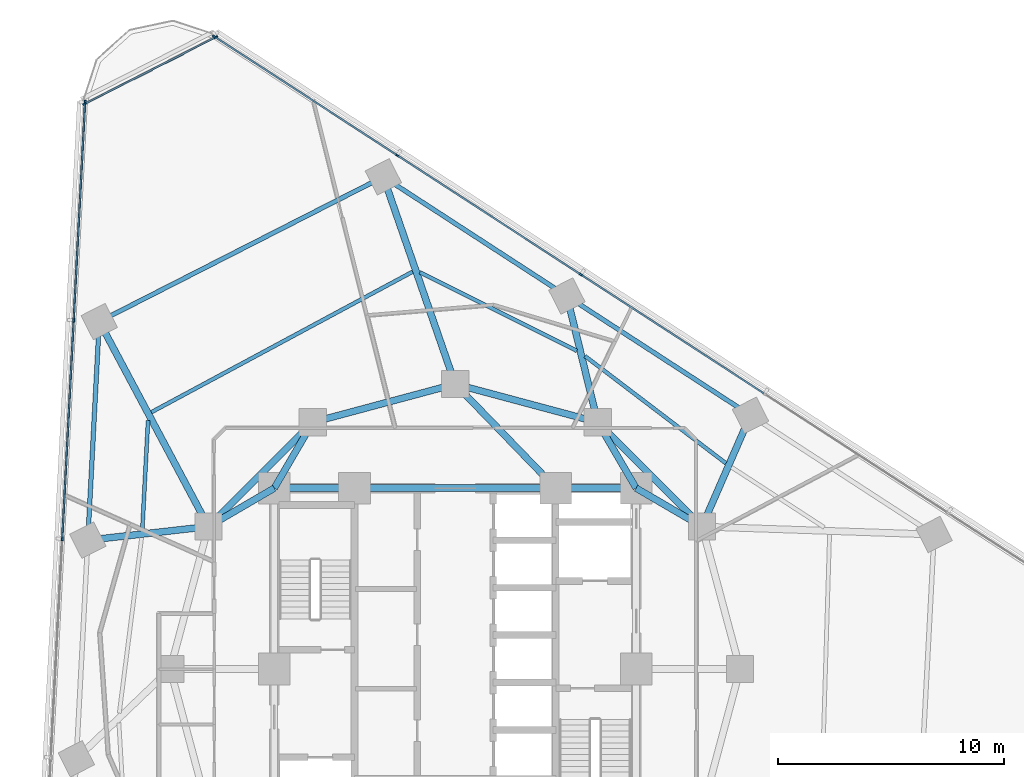
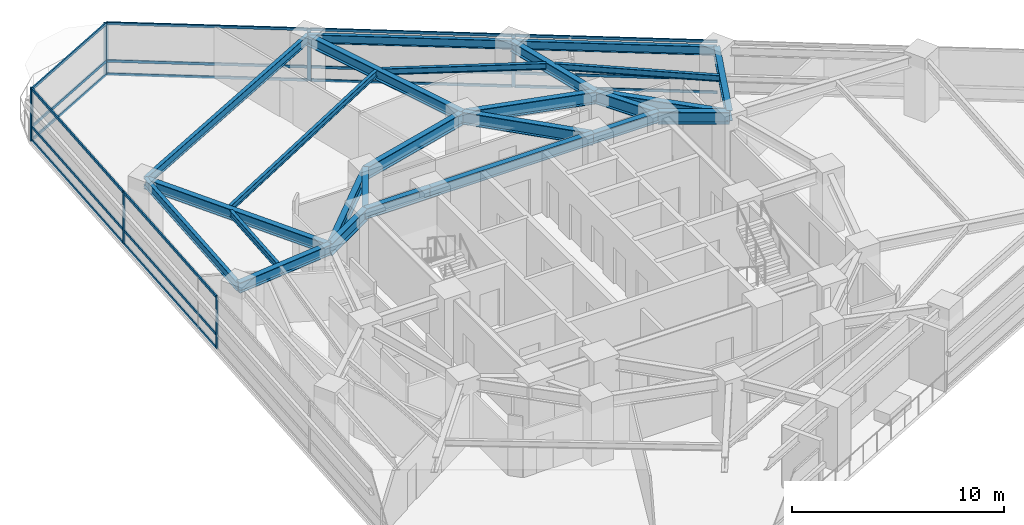
# One storey, part 5 of 14: 26 members, 25 beams, 3 elements without a shape of their own.
"""IFC4 building model written with IfcOpenShell, lengths in metres."""

from ifc_helpers import new_model, si_unit, direction, frame, origin, origin_2d, place, context, subcontext, project, spatial, rectangle, i_section, extrude, material, layer, layer_set, material_profile, profile_set, type_object, element, aggregate, save


model = new_model("IFC4")

# Units and contexts
model_context = context("Model", 3, precision=1e-05, world=origin(), true_north=direction((0.0, 1.0)))
body_context = subcontext(model_context, "Body", "Model", "MODEL_VIEW")
ifc_project = project(units=[si_unit("LENGTHUNIT", "METRE"), si_unit("AREAUNIT", "SQUARE_METRE"), si_unit("VOLUMEUNIT", "CUBIC_METRE"), si_unit("PLANEANGLEUNIT", "RADIAN"), si_unit("MASSUNIT", "GRAM", prefix="KILO")], contexts=[model_context])

# Site, building, storey
site_placement = place(None, origin())
site = spatial("IfcSite", under=ifc_project, at=site_placement, CompositionType="ELEMENT")
building_placement = place(site_placement, origin())
building = spatial("IfcBuilding", under=site, at=building_placement, Name="Terralouvre Media Tower", CompositionType="ELEMENT")
storey_placement = place(building_placement, frame((0.0, 0.0, 131.0)))
storey = spatial("IfcBuildingStorey", under=building, at=storey_placement, Name="L33", CompositionType="ELEMENT", Elevation=131.0)

# Beams
ifc_material_1 = material(Name="Structural steel S355J2", Category="steel")
ifc_material_profile_1 = material_profile(ifc_material_1, i_section(OverallWidth=0.169921875, OverallDepth=0.360107421875, WebThickness=0.008056640625, FlangeThickness=0.0126953125, at=origin_2d()), Name="IPE 360")
ifc_profile_set_1 = profile_set([ifc_material_profile_1], Name="Structural steel S355J2")
beam_type_1 = type_object("IfcBeamType", Name="Composite Floor Joist J-IPE360 (IPE 360)", PredefinedType="JOIST", material=ifc_profile_set_1)
beam_1_placement = place(storey_placement, frame((11.970703125, 9.098388671875, 3.320068359375), z_axis=(-0.795913950382, 0.605409765024, 0.0), x_axis=(-0.605409765024, -0.795913950382, 0.0)))
element("IfcBeam", 1, at=beam_1_placement, inside=storey, type_object=beam_type_1, Name="L33 Framing Beam JT-L33-08", PredefinedType="JOIST", context=body_context, shape_type="SweptSolid", body=[
    extrude(i_section(OverallWidth=0.169921875, OverallDepth=0.360107421875, WebThickness=0.008056640625, FlangeThickness=0.0126953125, at=origin_2d()), origin(), (0.0, 0.0, 1.0), 7.8291015625),
])
beam_2_placement = place(storey_placement, frame((5.37744140625, 14.068603515625, 3.320068359375), z_axis=(-0.893973577097, 0.448119675368, 0.0), x_axis=(-0.448119675368, -0.893973577097, 0.0)))
element("IfcBeam", 2, at=beam_2_placement, inside=storey, type_object=beam_type_1, Name="L33 Framing Beam JT-L33-09", PredefinedType="JOIST", context=body_context, shape_type="SweptSolid", body=[
    extrude(i_section(OverallWidth=0.169921875, OverallDepth=0.360107421875, WebThickness=0.008056640625, FlangeThickness=0.0126953125, at=origin_2d()), origin(), (0.0, 0.0, 1.0), 7.758056640625),
])
beam_3_placement = place(storey_placement, frame((-1.880615234375, 17.569580078125, 3.320068359375), z_axis=(-0.880744642144, -0.473591464592, 0.0), x_axis=(0.473591464592, -0.880744642144, 0.0)))
element("IfcBeam", 3, at=beam_3_placement, inside=storey, type_object=beam_type_1, Name="L33 Framing Beam JT-L33-10", PredefinedType="JOIST", context=body_context, shape_type="SweptSolid", body=[
    extrude(i_section(OverallWidth=0.169921875, OverallDepth=0.360107421875, WebThickness=0.008056640625, FlangeThickness=0.0126953125, at=origin_2d()), origin(), (0.0, 0.0, 1.0), 13.11865234375),
])
beam_4_placement = place(storey_placement, frame((-13.58203125, 10.9970703125, 3.320068359375), z_axis=(-0.052377831518, -0.998627339284, 0.0), x_axis=(0.998627339284, -0.052377831518, 0.0)))
element("IfcBeam", 4, at=beam_4_placement, inside=storey, type_object=beam_type_1, Name="L33 Framing Beam JT-L33-11", PredefinedType="JOIST", context=body_context, shape_type="SweptSolid", body=[
    extrude(i_section(OverallWidth=0.169921875, OverallDepth=0.360107421875, WebThickness=0.008056640625, FlangeThickness=0.0126953125, at=origin_2d()), origin(), (0.0, 0.0, 1.0), 4.884765625),
])

# Curtain wall, members
ifc_material_2 = material(Name="Low-iron laminated double glazing with solar-control coating", Category="glass")
ifc_layer_1 = layer(ifc_material_2, 0.1650390625, Name="Production Studio Tower Curtain Wall CW-03")
ifc_layer_set_1 = layer_set([ifc_layer_1], Name="Low-iron laminated double glazing with solar-control coating")
curtain_wall_type_1 = type_object("IfcCurtainWallType", Name="Production Studio Tower Curtain Wall CW-03", PredefinedType="NOTDEFINED", material=ifc_layer_set_1)
curtain_wall_1_placement = place(storey_placement, origin())
curtain_wall_1 = element("IfcCurtainWall", 5, at=curtain_wall_1_placement, inside=storey, type_object=curtain_wall_type_1, Name="L33 Facade Curtain Wall F1", PredefinedType="NOTDEFINED")
ifc_material_3 = material(Name="Anodised extruded aluminium 6063-T6", Category="aluminium")
ifc_material_profile_2 = material_profile(ifc_material_3, rectangle(XDim=0.074951171875, YDim=0.14990234375, at=origin_2d()), Name="ALU 75x150")
ifc_profile_set_2 = profile_set([ifc_material_profile_2], Name="Anodised extruded aluminium 6063-T6")
member_type_1 = type_object("IfcMemberType", Name="Curtain-Wall Horizontal Transom TR-150", PredefinedType="USERDEFINED", material=ifc_profile_set_2)
member_1_placement = place(storey_placement, frame((13.6416015625, 12.1884765625, 0.03759765625), z_axis=(-0.838672931076, 0.544635396095, 0.0), x_axis=(-0.544635396095, -0.838672931076, 0.0)))
member_1 = element("IfcMember", 6, at=member_1_placement, type_object=member_type_1, Name="CW-03 transom 3.1", ObjectType="TRANSOM", PredefinedType="USERDEFINED", context=body_context, shape_type="SweptSolid", body=[
    extrude(rectangle(XDim=0.074951171875, YDim=0.14990234375, at=origin_2d()), origin(), (0.0, 0.0, 1.0), 9.60498046875),
])
member_2_placement = place(storey_placement, frame((13.6416015625, 12.1884765625, 0.800048828125), z_axis=(-0.838672931076, 0.544635396095, 0.0), x_axis=(-0.544635396095, -0.838672931076, 0.0)))
member_2 = element("IfcMember", 7, at=member_2_placement, type_object=member_type_1, Name="CW-03 transom 3.2", ObjectType="TRANSOM", PredefinedType="USERDEFINED", context=body_context, shape_type="SweptSolid", body=[
    extrude(rectangle(XDim=0.074951171875, YDim=0.14990234375, at=origin_2d()), origin(), (0.0, 0.0, 1.0), 9.60498046875),
])
member_3_placement = place(storey_placement, frame((13.6416015625, 12.1884765625, 2.96240234375), z_axis=(-0.838672931076, 0.544635396095, 0.0), x_axis=(-0.544635396095, -0.838672931076, 0.0)))
member_3 = element("IfcMember", 8, at=member_3_placement, type_object=member_type_1, Name="CW-03 transom 3.3", ObjectType="TRANSOM", PredefinedType="USERDEFINED", context=body_context, shape_type="SweptSolid", body=[
    extrude(rectangle(XDim=0.074951171875, YDim=0.14990234375, at=origin_2d()), origin(), (0.0, 0.0, 1.0), 9.60498046875),
])
member_4_placement = place(storey_placement, frame((5.523193359375, 17.460693359375, 0.03759765625), z_axis=(-0.838672931076, 0.544635396095, 0.0), x_axis=(-0.544635396095, -0.838672931076, 0.0)))
member_4 = element("IfcMember", 9, at=member_4_placement, type_object=member_type_1, Name="CW-03 transom 4.1", ObjectType="TRANSOM", PredefinedType="USERDEFINED", context=body_context, shape_type="SweptSolid", body=[
    extrude(rectangle(XDim=0.074951171875, YDim=0.14990234375, at=origin_2d()), origin(), (0.0, 0.0, 1.0), 9.60498046875),
])
member_5_placement = place(storey_placement, frame((5.523193359375, 17.460693359375, 0.800048828125), z_axis=(-0.838672931076, 0.544635396095, 0.0), x_axis=(-0.544635396095, -0.838672931076, 0.0)))
member_5 = element("IfcMember", 10, at=member_5_placement, type_object=member_type_1, Name="CW-03 transom 4.2", ObjectType="TRANSOM", PredefinedType="USERDEFINED", context=body_context, shape_type="SweptSolid", body=[
    extrude(rectangle(XDim=0.074951171875, YDim=0.14990234375, at=origin_2d()), origin(), (0.0, 0.0, 1.0), 9.60498046875),
])
member_6_placement = place(storey_placement, frame((5.523193359375, 17.460693359375, 2.96240234375), z_axis=(-0.838672931076, 0.544635396095, 0.0), x_axis=(-0.544635396095, -0.838672931076, 0.0)))
member_6 = element("IfcMember", 11, at=member_6_placement, type_object=member_type_1, Name="CW-03 transom 4.3", ObjectType="TRANSOM", PredefinedType="USERDEFINED", context=body_context, shape_type="SweptSolid", body=[
    extrude(rectangle(XDim=0.074951171875, YDim=0.14990234375, at=origin_2d()), origin(), (0.0, 0.0, 1.0), 9.60498046875),
])
member_7_placement = place(storey_placement, frame((-2.594970703125, 22.732666015625, 0.03759765625), z_axis=(-0.838671492993, 0.544637610565, 0.0), x_axis=(-0.544637610565, -0.838671492993, 0.0)))
member_7 = element("IfcMember", 12, at=member_7_placement, type_object=member_type_1, Name="CW-03 transom 5.1", ObjectType="TRANSOM", PredefinedType="USERDEFINED", context=body_context, shape_type="SweptSolid", body=[
    extrude(rectangle(XDim=0.074951171875, YDim=0.14990234375, at=origin_2d()), origin(), (0.0, 0.0, 1.0), 9.567626953125),
])
member_8_placement = place(storey_placement, frame((-2.594970703125, 22.732666015625, 0.800048828125), z_axis=(-0.838671492993, 0.544637610565, 0.0), x_axis=(-0.544637610565, -0.838671492993, 0.0)))
member_8 = element("IfcMember", 13, at=member_8_placement, type_object=member_type_1, Name="CW-03 transom 5.2", ObjectType="TRANSOM", PredefinedType="USERDEFINED", context=body_context, shape_type="SweptSolid", body=[
    extrude(rectangle(XDim=0.074951171875, YDim=0.14990234375, at=origin_2d()), origin(), (0.0, 0.0, 1.0), 9.567626953125),
])
member_9_placement = place(storey_placement, frame((-2.594970703125, 22.732666015625, 2.96240234375), z_axis=(-0.838671492993, 0.544637610565, 0.0), x_axis=(-0.544637610565, -0.838671492993, 0.0)))
member_9 = element("IfcMember", 14, at=member_9_placement, type_object=member_type_1, Name="CW-03 transom 5.3", ObjectType="TRANSOM", PredefinedType="USERDEFINED", context=body_context, shape_type="SweptSolid", body=[
    extrude(rectangle(XDim=0.074951171875, YDim=0.14990234375, at=origin_2d()), origin(), (0.0, 0.0, 1.0), 9.567626953125),
])

curtain_wall_2_placement = place(storey_placement, origin())
curtain_wall_2 = element("IfcCurtainWall", 15, at=curtain_wall_2_placement, inside=storey, type_object=curtain_wall_type_1, Name="L33 Facade Curtain Wall F2", PredefinedType="NOTDEFINED")
member_10_placement = place(storey_placement, frame((-16.364990234375, 25.015869140625, 0.03759765625), z_axis=(-0.052336504837, -0.998629506004, 0.0), x_axis=(0.998629506004, -0.052336504837, 0.0)))
member_10 = element("IfcMember", 16, at=member_10_placement, type_object=member_type_1, Name="CW-03 transom 1.1", ObjectType="TRANSOM", PredefinedType="USERDEFINED", context=body_context, shape_type="SweptSolid", body=[
    extrude(rectangle(XDim=0.074951171875, YDim=0.14990234375, at=origin_2d()), origin(), (0.0, 0.0, 1.0), 9.567626953125),
])
member_11_placement = place(storey_placement, frame((-16.364990234375, 25.015869140625, 0.800048828125), z_axis=(-0.052336504837, -0.998629506004, 0.0), x_axis=(0.998629506004, -0.052336504837, 0.0)))
member_11 = element("IfcMember", 17, at=member_11_placement, type_object=member_type_1, Name="CW-03 transom 1.2", ObjectType="TRANSOM", PredefinedType="USERDEFINED", context=body_context, shape_type="SweptSolid", body=[
    extrude(rectangle(XDim=0.074951171875, YDim=0.14990234375, at=origin_2d()), origin(), (0.0, 0.0, 1.0), 9.567626953125),
])
member_12_placement = place(storey_placement, frame((-16.364990234375, 25.015869140625, 2.96240234375), z_axis=(-0.052336504837, -0.998629506004, 0.0), x_axis=(0.998629506004, -0.052336504837, 0.0)))
member_12 = element("IfcMember", 18, at=member_12_placement, type_object=member_type_1, Name="CW-03 transom 1.3", ObjectType="TRANSOM", PredefinedType="USERDEFINED", context=body_context, shape_type="SweptSolid", body=[
    extrude(rectangle(XDim=0.074951171875, YDim=0.14990234375, at=origin_2d()), origin(), (0.0, 0.0, 1.0), 9.567626953125),
])
member_13_placement = place(storey_placement, frame((-16.86962890625, 15.386474609375, 0.03759765625), z_axis=(-0.052336036535, -0.998629530547, 0.0), x_axis=(0.998629530547, -0.052336036535, 0.0)))
member_13 = element("IfcMember", 19, at=member_13_placement, type_object=member_type_1, Name="CW-03 transom 2.1", ObjectType="TRANSOM", PredefinedType="USERDEFINED", context=body_context, shape_type="SweptSolid", body=[
    extrude(rectangle(XDim=0.074951171875, YDim=0.14990234375, at=origin_2d()), origin(), (0.0, 0.0, 1.0), 9.60498046875),
])
member_14_placement = place(storey_placement, frame((-16.86962890625, 15.386474609375, 0.800048828125), z_axis=(-0.052336036535, -0.998629530547, 0.0), x_axis=(0.998629530547, -0.052336036535, 0.0)))
member_14 = element("IfcMember", 20, at=member_14_placement, type_object=member_type_1, Name="CW-03 transom 2.2", ObjectType="TRANSOM", PredefinedType="USERDEFINED", context=body_context, shape_type="SweptSolid", body=[
    extrude(rectangle(XDim=0.074951171875, YDim=0.14990234375, at=origin_2d()), origin(), (0.0, 0.0, 1.0), 9.60498046875),
])
member_15_placement = place(storey_placement, frame((-16.86962890625, 15.386474609375, 2.96240234375), z_axis=(-0.052336036535, -0.998629530547, 0.0), x_axis=(0.998629530547, -0.052336036535, 0.0)))
member_15 = element("IfcMember", 21, at=member_15_placement, type_object=member_type_1, Name="CW-03 transom 2.3", ObjectType="TRANSOM", PredefinedType="USERDEFINED", context=body_context, shape_type="SweptSolid", body=[
    extrude(rectangle(XDim=0.074951171875, YDim=0.14990234375, at=origin_2d()), origin(), (0.0, 0.0, 1.0), 9.60498046875),
])

ifc_material_4 = material(Name="Low-iron laminated double glazing with solar-control coating", Category="glass")
ifc_layer_2 = layer(ifc_material_4, 0.1650390625, Name="Rounded Wind-Corner Curved Glazing CW-04")
ifc_layer_set_2 = layer_set([ifc_layer_2], Name="Low-iron laminated double glazing with solar-control coating")
curtain_wall_type_2 = type_object("IfcCurtainWallType", Name="Rounded Wind-Corner Curved Glazing CW-04", PredefinedType="NOTDEFINED", material=ifc_layer_set_2)
curtain_wall_3_placement = place(storey_placement, origin())
curtain_wall_3 = element("IfcCurtainWall", 22, at=curtain_wall_3_placement, inside=storey, type_object=curtain_wall_type_2, Name="L33 Rounded Wind-Corner Curtain Wall C2", PredefinedType="NOTDEFINED")
member_16_placement = place(storey_placement, frame((-10.619873046875, 27.92626953125, 0.03759765625), z_axis=(-0.891007919555, -0.453987761167, 0.0), x_axis=(0.453987761167, -0.891007919555, 0.0)))
member_16 = element("IfcMember", 23, at=member_16_placement, type_object=member_type_1, Name="CW-04 transom 1.1", ObjectType="TRANSOM", PredefinedType="USERDEFINED", context=body_context, shape_type="SweptSolid", body=[
    extrude(rectangle(XDim=0.074951171875, YDim=0.14990234375, at=origin_2d()), origin(), (0.0, 0.0, 1.0), 6.431640625),
])
member_17_placement = place(storey_placement, frame((-10.619873046875, 27.92626953125, 0.800048828125), z_axis=(-0.891007919555, -0.453987761167, 0.0), x_axis=(0.453987761167, -0.891007919555, 0.0)))
member_17 = element("IfcMember", 24, at=member_17_placement, type_object=member_type_1, Name="CW-04 transom 1.2", ObjectType="TRANSOM", PredefinedType="USERDEFINED", context=body_context, shape_type="SweptSolid", body=[
    extrude(rectangle(XDim=0.074951171875, YDim=0.14990234375, at=origin_2d()), origin(), (0.0, 0.0, 1.0), 6.431640625),
])
member_18_placement = place(storey_placement, frame((-10.619873046875, 27.92626953125, 2.96240234375), z_axis=(-0.891007919555, -0.453987761167, 0.0), x_axis=(0.453987761167, -0.891007919555, 0.0)))
member_18 = element("IfcMember", 25, at=member_18_placement, type_object=member_type_1, Name="CW-04 transom 1.3", ObjectType="TRANSOM", PredefinedType="USERDEFINED", context=body_context, shape_type="SweptSolid", body=[
    extrude(rectangle(XDim=0.074951171875, YDim=0.14990234375, at=origin_2d()), origin(), (0.0, 0.0, 1.0), 6.431640625),
])

# Member
ifc_material_5 = material(Name="Anodised extruded aluminium 6063-T6", Category="aluminium")
ifc_material_profile_3 = material_profile(ifc_material_5, rectangle(XDim=0.074951171875, YDim=0.179931640625, at=origin_2d()), Name="ALU 75x180")
ifc_profile_set_3 = profile_set([ifc_material_profile_3], Name="Anodised extruded aluminium 6063-T6")
member_type_2 = type_object("IfcMemberType", Name="Curtain-Wall Vertical Mullion ML-180", PredefinedType="MULLION", material=ifc_profile_set_3)
member_19_placement = place(storey_placement, frame((5.5546875, 17.440185546875, 0.0), z_axis=(0.0, 0.0, 1.0), x_axis=(-0.544639002681, -0.838670588944, 0.0)))
member_19 = element("IfcMember", 26, at=member_19_placement, type_object=member_type_2, Name="CW-03 mullion 4", PredefinedType="MULLION", context=body_context, shape_type="SweptSolid", body=[
    extrude(rectangle(XDim=0.074951171875, YDim=0.179931640625, at=origin_2d()), origin(), (0.0, 0.0, 1.0), 3.0),
])

member_20_placement = place(storey_placement, frame((-2.5634765625, 22.712158203125, 0.0), z_axis=(0.0, 0.0, 1.0), x_axis=(-0.544639002681, -0.838670588944, 0.0)))
member_20 = element("IfcMember", 27, at=member_20_placement, type_object=member_type_2, Name="CW-03 mullion 5", PredefinedType="MULLION", context=body_context, shape_type="SweptSolid", body=[
    extrude(rectangle(XDim=0.074951171875, YDim=0.179931640625, at=origin_2d()), origin(), (0.0, 0.0, 1.0), 3.0),
])

member_21_placement = place(storey_placement, frame((-10.650390625, 27.9638671875, 0.0), z_axis=(0.0, 0.0, 1.0), x_axis=(-0.544639002681, -0.838670588944, 0.0)))
member_21 = element("IfcMember", 28, at=member_21_placement, type_object=member_type_2, Name="CW-03 mullion 6", PredefinedType="MULLION", context=body_context, shape_type="SweptSolid", body=[
    extrude(rectangle(XDim=0.074951171875, YDim=0.179931640625, at=origin_2d()), origin(), (0.0, 0.0, 1.0), 3.0),
])

aggregate(curtain_wall_1, [member_19, member_20, member_21, member_1, member_2, member_3, member_4, member_5, member_6, member_7, member_8, member_9])

member_22_placement = place(storey_placement, frame((-16.363037109375, 25.05322265625, 0.0), z_axis=(0.0, 0.0, 1.0), x_axis=(0.998629535089, -0.052335949864, 0.0)))
member_22 = element("IfcMember", 29, at=member_22_placement, type_object=member_type_2, Name="CW-03 mullion 1", PredefinedType="MULLION", context=body_context, shape_type="SweptSolid", body=[
    extrude(rectangle(XDim=0.074951171875, YDim=0.179931640625, at=origin_2d()), origin(), (0.0, 0.0, 1.0), 3.0),
])

member_23_placement = place(storey_placement, frame((-16.86767578125, 15.423828125, 0.0), z_axis=(0.0, 0.0, 1.0), x_axis=(0.998629535089, -0.052335949864, 0.0)))
member_23 = element("IfcMember", 30, at=member_23_placement, type_object=member_type_2, Name="CW-03 mullion 2", PredefinedType="MULLION", context=body_context, shape_type="SweptSolid", body=[
    extrude(rectangle(XDim=0.074951171875, YDim=0.179931640625, at=origin_2d()), origin(), (0.0, 0.0, 1.0), 3.0),
])

member_24_placement = place(storey_placement, frame((-17.374267578125, 5.757080078125, 0.0), z_axis=(0.0, 0.0, 1.0), x_axis=(0.998629535089, -0.052335949864, 0.0)))
member_24 = element("IfcMember", 31, at=member_24_placement, type_object=member_type_2, Name="CW-03 mullion 3", PredefinedType="MULLION", context=body_context, shape_type="SweptSolid", body=[
    extrude(rectangle(XDim=0.074951171875, YDim=0.179931640625, at=origin_2d()), origin(), (0.0, 0.0, 1.0), 3.0),
])

aggregate(curtain_wall_2, [member_22, member_23, member_24, member_10, member_11, member_12, member_13, member_14, member_15])

member_25_placement = place(storey_placement, frame((-10.58642578125, 27.943359375, 0.0), z_axis=(0.0, 0.0, 1.0), x_axis=(0.45399035059, -0.891006600184, 0.0)))
member_25 = element("IfcMember", 32, at=member_25_placement, type_object=member_type_2, Name="CW-04 mullion 1", PredefinedType="MULLION", context=body_context, shape_type="SweptSolid", body=[
    extrude(rectangle(XDim=0.074951171875, YDim=0.179931640625, at=origin_2d()), origin(), (0.0, 0.0, 1.0), 3.0),
])

member_26_placement = place(storey_placement, frame((-16.384033203125, 24.9892578125, 0.0), z_axis=(0.0, 0.0, 1.0), x_axis=(0.45399035059, -0.891006600184, 0.0)))
member_26 = element("IfcMember", 33, at=member_26_placement, type_object=member_type_2, Name="CW-04 mullion 2", PredefinedType="MULLION", context=body_context, shape_type="SweptSolid", body=[
    extrude(rectangle(XDim=0.074951171875, YDim=0.179931640625, at=origin_2d()), origin(), (0.0, 0.0, 1.0), 3.0),
])

aggregate(curtain_wall_3, [member_25, member_26, member_16, member_17, member_18])

# Beams
ifc_material_6 = material(Name="Structural steel S355J2", Category="steel")
ifc_material_profile_4 = material_profile(ifc_material_6, i_section(OverallWidth=0.199951171875, OverallDepth=0.5, WebThickness=0.01025390625, FlangeThickness=0.01611328125, at=origin_2d()), Name="IPE 500")
ifc_profile_set_4 = profile_set([ifc_material_profile_4], Name="Structural steel S355J2")
beam_type_2 = type_object("IfcBeamType", Name="Perimeter Spandrel Beam SPB-500 (IPE 500)", PredefinedType="SPANDREL", material=ifc_profile_set_4)
for number, where, z_axis, x_axis, name in (
    (34, (13.0576171875, 11.220458984375, 3.25), (-0.838679216118, 0.544625717765, 0.0), (-0.544625717765, -0.838679216118, 0.0), "L33 Framing Beam BM-L33-PR08"),
    (35, (4.939208984375, 16.492431640625, 3.25), (-0.838660214263, 0.544654977956, 0.0), (-0.544654977956, -0.838660214263, 0.0), "L33 Framing Beam BM-L33-PR09"),
):
    element("IfcBeam", number, at=place(storey_placement, frame(where, z_axis=z_axis, x_axis=x_axis)), inside=storey, type_object=beam_type_2, Name=name, PredefinedType="SPANDREL", context=body_context, shape_type="SweptSolid", body=[
        extrude(i_section(OverallWidth=0.199951171875, OverallDepth=0.5, WebThickness=0.01025390625, FlangeThickness=0.01611328125, at=origin_2d()), origin(), (0.0, 0.0, 1.0), 9.679931640625),
    ])
beam_5_placement = place(storey_placement, frame((-3.178955078125, 21.7646484375, 3.25), z_axis=(-0.891003412269, -0.453996607173, 0.0), x_axis=(0.453996607173, -0.891003412269, 0.0)))
element("IfcBeam", 36, at=beam_5_placement, inside=storey, type_object=beam_type_2, Name="L33 Framing Beam BM-L33-PR10", PredefinedType="SPANDREL", context=body_context, shape_type="SweptSolid", body=[
    extrude(i_section(OverallWidth=0.199951171875, OverallDepth=0.5, WebThickness=0.01025390625, FlangeThickness=0.01611328125, at=origin_2d()), origin(), (0.0, 0.0, 1.0), 14.096923828125),
])
beam_6_placement = place(storey_placement, frame((-15.7392578125, 15.36474609375, 3.25), z_axis=(-0.052333792648, -0.998629648141, 0.0), x_axis=(0.998629648141, -0.052333792648, 0.0)))
element("IfcBeam", 37, at=beam_6_placement, inside=storey, type_object=beam_type_2, Name="L33 Framing Beam BM-L33-PR11", PredefinedType="SPANDREL", context=body_context, shape_type="SweptSolid", body=[
    extrude(i_section(OverallWidth=0.199951171875, OverallDepth=0.5, WebThickness=0.01025390625, FlangeThickness=0.01611328125, at=origin_2d()), origin(), (0.0, 0.0, 1.0), 9.679931640625),
])
ifc_material_7 = material(Name="Structural steel S460M", Category="steel")
ifc_material_profile_5 = material_profile(ifc_material_7, i_section(OverallWidth=0.300048828125, OverallDepth=0.60009765625, WebThickness=0.015380859375, FlangeThickness=0.030029296875, at=origin_2d()), Name="HEB 600")
ifc_profile_set_5 = profile_set([ifc_material_profile_5], Name="Structural steel S460M")
beam_type_3 = type_object("IfcBeamType", Name="Primary Floor Girder B-HEB600 (HEB 600)", PredefinedType="BEAM", material=ifc_profile_set_5)
beam_7_placement = place(storey_placement, frame((8.0, 8.0, 3.199951171875), z_axis=(-1.0, 0.0, 0.0), x_axis=(0.0, -1.0, 0.0)))
element("IfcBeam", 38, at=beam_7_placement, inside=storey, type_object=beam_type_3, Name="L33 Framing Beam BM-L33-CPR06", PredefinedType="BEAM", context=body_context, shape_type="SweptSolid", body=[
    extrude(i_section(OverallWidth=0.300048828125, OverallDepth=0.60009765625, WebThickness=0.015380859375, FlangeThickness=0.030029296875, at=origin_2d()), origin(), (0.0, 0.0, 1.0), 3.550048828125),
])
beam_8_placement = place(storey_placement, frame((4.449951171875, 8.0, 3.199951171875), z_axis=(-1.0, 0.0, 0.0), x_axis=(0.0, -1.0, 0.0)))
element("IfcBeam", 39, at=beam_8_placement, inside=storey, type_object=beam_type_3, Name="L33 Framing Beam BM-L33-CPR07", PredefinedType="BEAM", context=body_context, shape_type="SweptSolid", body=[
    extrude(i_section(OverallWidth=0.300048828125, OverallDepth=0.60009765625, WebThickness=0.015380859375, FlangeThickness=0.030029296875, at=origin_2d()), origin(), (0.0, 0.0, 1.0), 8.89990234375),
])
beam_9_placement = place(storey_placement, frame((-4.449951171875, 8.0, 3.199951171875), z_axis=(-1.0, 0.0, 0.0), x_axis=(0.0, -1.0, 0.0)))
element("IfcBeam", 40, at=beam_9_placement, inside=storey, type_object=beam_type_3, Name="L33 Framing Beam BM-L33-CPR08", PredefinedType="BEAM", context=body_context, shape_type="SweptSolid", body=[
    extrude(i_section(OverallWidth=0.300048828125, OverallDepth=0.60009765625, WebThickness=0.015380859375, FlangeThickness=0.030029296875, at=origin_2d()), origin(), (0.0, 0.0, 1.0), 3.550048828125),
])
beam_10_placement = place(storey_placement, frame((10.911865234375, 6.300048828125, 3.199951171875), z_axis=(0.39973535277, 0.916630595031, 0.0), x_axis=(-0.916630595031, 0.39973535277, 0.0)))
element("IfcBeam", 41, at=beam_10_placement, inside=storey, type_object=beam_type_3, Name="L33 Framing Beam BM-L33-RD08", PredefinedType="BEAM", context=body_context, shape_type="SweptSolid", body=[
    extrude(i_section(OverallWidth=0.300048828125, OverallDepth=0.60009765625, WebThickness=0.015380859375, FlangeThickness=0.030029296875, at=origin_2d()), origin(), (0.0, 0.0, 1.0), 5.367919921875),
])
beam_11_placement = place(storey_placement, frame((6.300048828125, 10.911865234375, 3.199951171875), z_axis=(-0.23691117125, 0.971531315469, 0.0), x_axis=(-0.971531315469, -0.23691117125, 0.0)))
element("IfcBeam", 42, at=beam_11_placement, inside=storey, type_object=beam_type_3, Name="L33 Framing Beam BM-L33-RD09", PredefinedType="BEAM", context=body_context, shape_type="SweptSolid", body=[
    extrude(i_section(OverallWidth=0.300048828125, OverallDepth=0.60009765625, WebThickness=0.015380859375, FlangeThickness=0.030029296875, at=origin_2d()), origin(), (0.0, 0.0, 1.0), 5.744140625),
])
beam_12_placement = place(storey_placement, frame((0.0, 12.60009765625, 3.199951171875), z_axis=(-0.327719061781, 0.944775220116, 0.0), x_axis=(-0.944775220116, -0.327719061781, 0.0)))
element("IfcBeam", 43, at=beam_12_placement, inside=storey, type_object=beam_type_3, Name="L33 Framing Beam BM-L33-RD10", PredefinedType="BEAM", context=body_context, shape_type="SweptSolid", body=[
    extrude(i_section(OverallWidth=0.300048828125, OverallDepth=0.60009765625, WebThickness=0.015380859375, FlangeThickness=0.030029296875, at=origin_2d()), origin(), (0.0, 0.0, 1.0), 9.7001953125),
])
beam_13_placement = place(storey_placement, frame((-10.911865234375, 6.300048828125, 3.199951171875), z_axis=(-0.470048953024, 0.882640346778, 0.0), x_axis=(-0.882640346778, -0.470048953024, 0.0)))
element("IfcBeam", 44, at=beam_13_placement, inside=storey, type_object=beam_type_3, Name="L33 Framing Beam BM-L33-RD11", PredefinedType="BEAM", context=body_context, shape_type="SweptSolid", body=[
    extrude(i_section(OverallWidth=0.300048828125, OverallDepth=0.60009765625, WebThickness=0.015380859375, FlangeThickness=0.030029296875, at=origin_2d()), origin(), (0.0, 0.0, 1.0), 10.27001953125),
])
beam_14_placement = place(storey_placement, frame((-10.911865234375, 6.300048828125, 3.199951171875), z_axis=(-0.993690322099, -0.112158565283, 0.0), x_axis=(0.112158565283, -0.993690322099, 0.0)))
element("IfcBeam", 45, at=beam_14_placement, inside=storey, type_object=beam_type_3, Name="L33 Framing Beam BM-L33-RD12", PredefinedType="BEAM", context=body_context, shape_type="SweptSolid", body=[
    extrude(i_section(OverallWidth=0.300048828125, OverallDepth=0.60009765625, WebThickness=0.015380859375, FlangeThickness=0.030029296875, at=origin_2d()), origin(), (0.0, 0.0, 1.0), 5.367919921875),
])
ifc_material_8 = material(Name="Structural steel S460M", Category="steel")
ifc_material_profile_6 = material_profile(ifc_material_8, i_section(OverallWidth=0.300048828125, OverallDepth=0.699951171875, WebThickness=0.01708984375, FlangeThickness=0.031982421875, at=origin_2d()), Name="HEB 700")
ifc_profile_set_6 = profile_set([ifc_material_profile_6], Name="Structural steel S460M")
beam_type_4 = type_object("IfcBeamType", Name="Primary Floor Girder B-HEB700 (HEB 700)", PredefinedType="BEAM", material=ifc_profile_set_6)
beam_15_placement = place(storey_placement, frame((10.911865234375, 6.300048828125, 3.14990234375), z_axis=(-0.707106781187, 0.707106781187, 0.0), x_axis=(-0.707106781187, -0.707106781187, 0.0)))
element("IfcBeam", 46, at=beam_15_placement, inside=storey, type_object=beam_type_4, Name="L33 Framing Beam BM-L33-MR07", PredefinedType="BEAM", context=body_context, shape_type="SweptSolid", body=[
    extrude(i_section(OverallWidth=0.300048828125, OverallDepth=0.699951171875, WebThickness=0.01708984375, FlangeThickness=0.031982421875, at=origin_2d()), origin(), (0.0, 0.0, 1.0), 6.52197265625),
])
for number, where, z_axis, x_axis, name in (
    (47, (6.300048828125, 10.911865234375, 3.14990234375), (-0.965920481897, 0.258838989821, 0.0), (-0.258838989821, -0.965920481897, 0.0), "L33 Framing Beam BM-L33-MR08"),
    (48, (0.0, 12.60009765625, 3.14990234375), (-0.965920481897, -0.258838989821, 0.0), (0.258838989821, -0.965920481897, 0.0), "L33 Framing Beam BM-L33-MR09"),
):
    element("IfcBeam", number, at=place(storey_placement, frame(where, z_axis=z_axis, x_axis=x_axis)), inside=storey, type_object=beam_type_4, Name=name, PredefinedType="BEAM", context=body_context, shape_type="SweptSolid", body=[
        extrude(i_section(OverallWidth=0.300048828125, OverallDepth=0.699951171875, WebThickness=0.01708984375, FlangeThickness=0.031982421875, at=origin_2d()), origin(), (0.0, 0.0, 1.0), 6.522216796875),
    ])
beam_16_placement = place(storey_placement, frame((-6.300048828125, 10.911865234375, 3.14990234375), z_axis=(-0.707106781187, -0.707106781187, 0.0), x_axis=(0.707106781187, -0.707106781187, 0.0)))
element("IfcBeam", 49, at=beam_16_placement, inside=storey, type_object=beam_type_4, Name="L33 Framing Beam BM-L33-MR10", PredefinedType="BEAM", context=body_context, shape_type="SweptSolid", body=[
    extrude(i_section(OverallWidth=0.300048828125, OverallDepth=0.699951171875, WebThickness=0.01708984375, FlangeThickness=0.031982421875, at=origin_2d()), origin(), (0.0, 0.0, 1.0), 6.52197265625),
])
for number, where, z_axis, x_axis, name in (
    (50, (8.0, 8.0, 3.14990234375), (0.863602894532, -0.504172629717, 0.0), (0.504172629717, 0.863602894532, 0.0), "L33 Framing Beam BM-L33-CM07"),
    (51, (8.0, 8.0, 3.14990234375), (-0.504172629717, 0.863602894532, 0.0), (-0.863602894532, -0.504172629717, 0.0), "L33 Framing Beam BM-L33-CM08"),
):
    element("IfcBeam", number, at=place(storey_placement, frame(where, z_axis=z_axis, x_axis=x_axis)), inside=storey, type_object=beam_type_4, Name=name, PredefinedType="BEAM", context=body_context, shape_type="SweptSolid", body=[
        extrude(i_section(OverallWidth=0.300048828125, OverallDepth=0.699951171875, WebThickness=0.01708984375, FlangeThickness=0.031982421875, at=origin_2d()), origin(), (0.0, 0.0, 1.0), 3.371826171875),
    ])
beam_17_placement = place(storey_placement, frame((4.449951171875, 8.0, 3.14990234375), z_axis=(-0.695279715726, 0.718739255155, 0.0), x_axis=(-0.718739255155, -0.695279715726, 0.0)))
element("IfcBeam", 52, at=beam_17_placement, inside=storey, type_object=beam_type_4, Name="L33 Framing Beam BM-L33-CM09", PredefinedType="BEAM", context=body_context, shape_type="SweptSolid", body=[
    extrude(i_section(OverallWidth=0.300048828125, OverallDepth=0.699951171875, WebThickness=0.01708984375, FlangeThickness=0.031982421875, at=origin_2d()), origin(), (0.0, 0.0, 1.0), 6.400146484375),
])
for number, where, z_axis, x_axis, name in (
    (53, (-8.0, 8.0, 3.14990234375), (0.504172629717, 0.863602894532, 0.0), (-0.863602894532, 0.504172629717, 0.0), "L33 Framing Beam BM-L33-CM10"),
    (54, (-8.0, 8.0, 3.14990234375), (-0.863602894532, -0.504172629717, 0.0), (0.504172629717, -0.863602894532, 0.0), "L33 Framing Beam BM-L33-CM11"),
):
    element("IfcBeam", number, at=place(storey_placement, frame(where, z_axis=z_axis, x_axis=x_axis)), inside=storey, type_object=beam_type_4, Name=name, PredefinedType="BEAM", context=body_context, shape_type="SweptSolid", body=[
        extrude(i_section(OverallWidth=0.300048828125, OverallDepth=0.699951171875, WebThickness=0.01708984375, FlangeThickness=0.031982421875, at=origin_2d()), origin(), (0.0, 0.0, 1.0), 3.371826171875),
    ])

save(model, "model.ifc")
